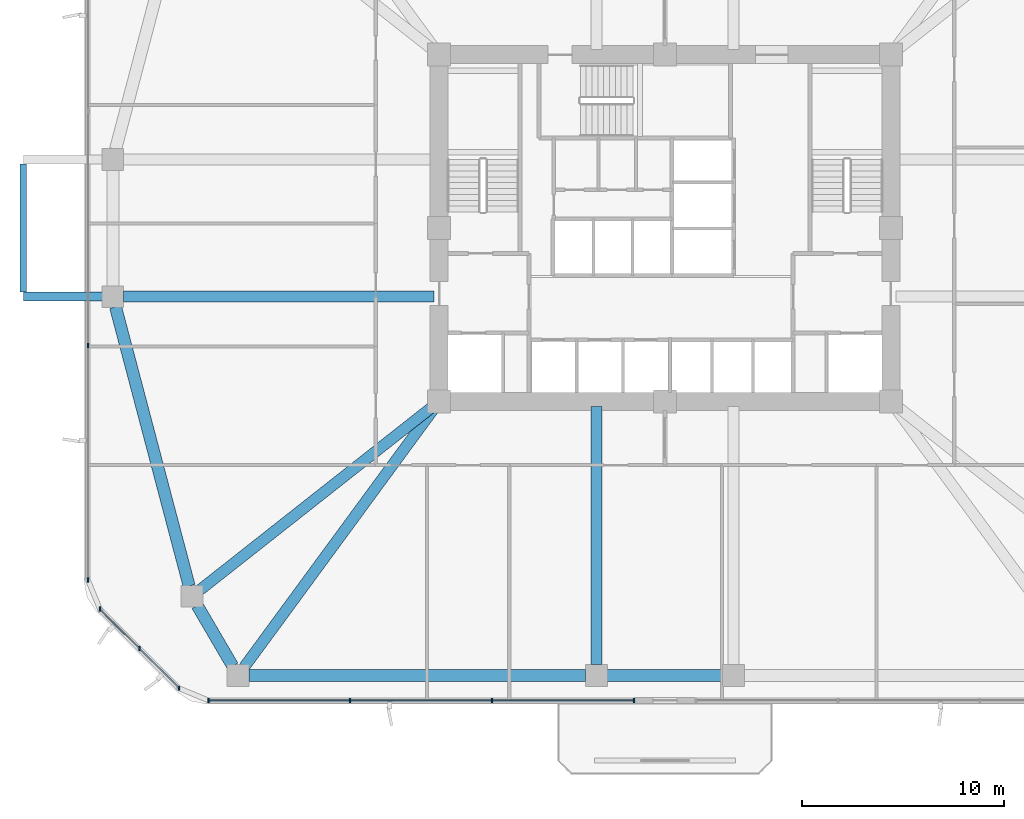
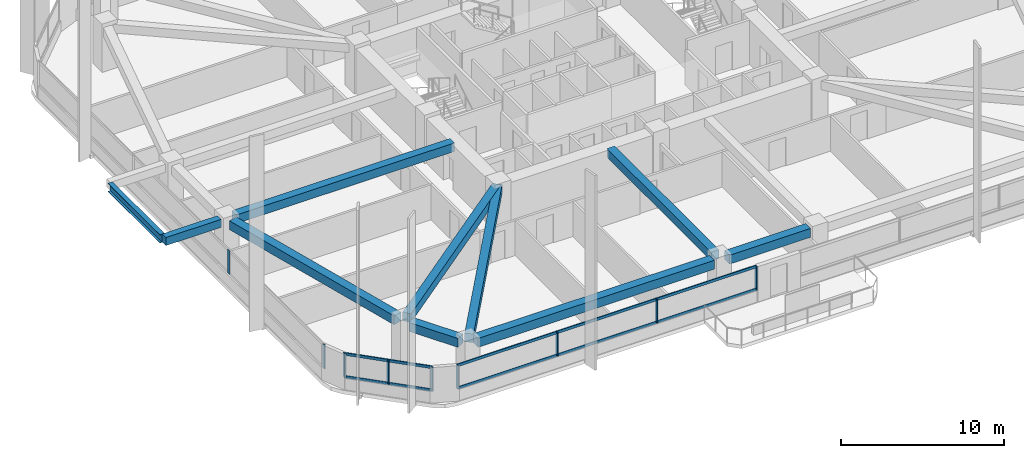
# One storey, part 2 of 17: 13 members, 10 beams, 3 elements without a shape of their own.
"""IFC4 building model written with IfcOpenShell, lengths in metres."""

from ifc_helpers import new_model, si_unit, derived_unit, direction, frame, origin, origin_2d, place, context, subcontext, project, spatial, rectangle, i_section, extrude, material, material_profile, profile_set, type_object, element, aggregate, save


model = new_model("IFC4")

# Units and contexts
model_context = context("Model", 3, precision=1e-05, world=origin(), true_north=direction((0.0, 1.0)))
body_context = subcontext(model_context, "Body", "Model", "MODEL_VIEW")
ifc_project = project(units=[si_unit("LENGTHUNIT", "METRE"), si_unit("AREAUNIT", "SQUARE_METRE"), si_unit("VOLUMEUNIT", "CUBIC_METRE"), si_unit("PLANEANGLEUNIT", "RADIAN"), si_unit("MASSUNIT", "GRAM", prefix="KILO"), derived_unit("THERMALTRANSMITTANCEUNIT", [(si_unit("POWERUNIT", "WATT"), 1), (si_unit("LENGTHUNIT", "METRE"), -2), (si_unit("THERMODYNAMICTEMPERATUREUNIT", "KELVIN"), -1)])], contexts=[model_context])

# Site, building, storey
site_placement = place(None, origin())
site = spatial("IfcSite", under=ifc_project, at=site_placement, CompositionType="ELEMENT")
building_placement = place(site_placement, origin())
building = spatial("IfcBuilding", under=site, at=building_placement, Name="Koralith Skygarden Medical Center", CompositionType="ELEMENT")
storey_placement = place(building_placement, frame((0.0, 0.0, 52.739990234375)))
storey = spatial("IfcBuildingStorey", under=building, at=storey_placement, Name="L13", CompositionType="ELEMENT", Elevation=52.739990234375)

# Curtain wall, members
ifc_material_1 = material(Name="Clear Laminated Glass", Category="glass")
curtain_wall_type = type_object("IfcCurtainWallType", Name="CW-2 Zone 1 Hurricane Unitised Curtain Wall", PredefinedType="NOTDEFINED", material=ifc_material_1)
curtain_wall_1_placement = place(storey_placement, origin())
curtain_wall_1 = element("IfcCurtainWall", 1, at=curtain_wall_1_placement, inside=storey, type_object=curtain_wall_type, Name="Curtain Wall CW-L13-S-L", PredefinedType="NOTDEFINED")
ifc_material_2 = material(Name="Aluminium 6063-T6", Category="aluminium")
ifc_material_profile_1 = material_profile(ifc_material_2, rectangle(XDim=0.071044921875, YDim=0.219970703125, at=origin_2d()), Name="MUL71X220")
ifc_profile_set_1 = profile_set([ifc_material_profile_1], Name="Aluminium 6063-T6")
member_type_1 = type_object("IfcMemberType", Name="CW-2 Extruded Mullion 71x220", PredefinedType="MULLION", material=ifc_profile_set_1)
member_1_placement = place(storey_placement, frame((14.35498046875, 2.47998046875, 0.85009765625), z_axis=(0.0, 0.0, 1.0), x_axis=(1.0, 0.0, 0.0)))
member_1 = element("IfcMember", 2, at=member_1_placement, type_object=member_type_1, Name="CW-L13-S-L Mullion 1", PredefinedType="MULLION", context=body_context, shape_type="SweptSolid", body=[
    extrude(rectangle(XDim=0.071044921875, YDim=0.219970703125, at=origin_2d()), origin(), (0.0, 0.0, 1.0), 1.7998046875),
])
member_2_placement = place(storey_placement, frame((21.389892578125, 2.47998046875, 0.85009765625), z_axis=(0.0, 0.0, 1.0), x_axis=(1.0, 0.0, 0.0)))
member_2 = element("IfcMember", 3, at=member_2_placement, type_object=member_type_1, Name="CW-L13-S-L Mullion 2", PredefinedType="MULLION", context=body_context, shape_type="SweptSolid", body=[
    extrude(rectangle(XDim=0.071044921875, YDim=0.219970703125, at=origin_2d()), origin(), (0.0, 0.0, 1.0), 1.7998046875),
])
member_3_placement = place(storey_placement, frame((28.425048828125, 2.47998046875, 0.85009765625), z_axis=(0.0, 0.0, 1.0), x_axis=(1.0, 0.0, 0.0)))
member_3 = element("IfcMember", 4, at=member_3_placement, type_object=member_type_1, Name="CW-L13-S-L Mullion 3", PredefinedType="MULLION", context=body_context, shape_type="SweptSolid", body=[
    extrude(rectangle(XDim=0.071044921875, YDim=0.219970703125, at=origin_2d()), origin(), (0.0, 0.0, 1.0), 1.7998046875),
])
member_4_placement = place(storey_placement, frame((35.4599609375, 2.47998046875, 0.85009765625), z_axis=(0.0, 0.0, 1.0), x_axis=(1.0, 0.0, 0.0)))
member_4 = element("IfcMember", 5, at=member_4_placement, type_object=member_type_1, Name="CW-L13-S-L Mullion 4", PredefinedType="MULLION", context=body_context, shape_type="SweptSolid", body=[
    extrude(rectangle(XDim=0.071044921875, YDim=0.219970703125, at=origin_2d()), origin(), (0.0, 0.0, 1.0), 1.7998046875),
])

curtain_wall_2_placement = place(storey_placement, origin())
curtain_wall_2 = element("IfcCurtainWall", 6, at=curtain_wall_2_placement, inside=storey, type_object=curtain_wall_type, Name="Curtain Wall CW-L13-W", PredefinedType="NOTDEFINED")
member_5_placement = place(storey_placement, frame((8.3798828125, 20.0849609375, 0.85009765625), z_axis=(0.0, 0.0, 1.0), x_axis=(1.0, 0.0, 0.0)))
member_5 = element("IfcMember", 7, at=member_5_placement, type_object=member_type_1, Name="CW-L13-W Mullion 3", PredefinedType="MULLION", context=body_context, shape_type="SweptSolid", body=[
    extrude(rectangle(XDim=0.071044921875, YDim=0.219970703125, at=origin_2d()), origin(), (0.0, 0.0, 1.0), 1.7998046875),
])
member_6_placement = place(storey_placement, frame((8.3798828125, 8.455078125, 0.85009765625), z_axis=(0.0, 0.0, 1.0), x_axis=(1.0, 0.0, 0.0)))
member_6 = element("IfcMember", 8, at=member_6_placement, type_object=member_type_1, Name="CW-L13-W Mullion 4", PredefinedType="MULLION", context=body_context, shape_type="SweptSolid", body=[
    extrude(rectangle(XDim=0.071044921875, YDim=0.219970703125, at=origin_2d()), origin(), (0.0, 0.0, 1.0), 1.7998046875),
])
aggregate(curtain_wall_2, [member_5, member_6])

curtain_wall_3_placement = place(storey_placement, origin())
curtain_wall_3 = element("IfcCurtainWall", 9, at=curtain_wall_3_placement, inside=storey, type_object=curtain_wall_type, Name="Curtain Wall CW-L13-SW", PredefinedType="NOTDEFINED")
member_7_placement = place(storey_placement, frame((8.98095703125, 7.00390625, 0.85009765625), z_axis=(0.0, 0.0, 1.0), x_axis=(1.0, 0.0, 0.0)))
member_7 = element("IfcMember", 10, at=member_7_placement, type_object=member_type_1, Name="CW-L13-SW Mullion 1", PredefinedType="MULLION", context=body_context, shape_type="SweptSolid", body=[
    extrude(rectangle(XDim=0.071044921875, YDim=0.219970703125, at=origin_2d()), origin(), (0.0, 0.0, 1.0), 1.7998046875),
])
member_8_placement = place(storey_placement, frame((10.94189453125, 5.04296875, 0.85009765625), z_axis=(0.0, 0.0, 1.0), x_axis=(1.0, 0.0, 0.0)))
member_8 = element("IfcMember", 11, at=member_8_placement, type_object=member_type_1, Name="CW-L13-SW Mullion 2", PredefinedType="MULLION", context=body_context, shape_type="SweptSolid", body=[
    extrude(rectangle(XDim=0.071044921875, YDim=0.219970703125, at=origin_2d()), origin(), (0.0, 0.0, 1.0), 1.7998046875),
])
member_9_placement = place(storey_placement, frame((12.904052734375, 3.0810546875, 0.85009765625), z_axis=(0.0, 0.0, 1.0), x_axis=(1.0, 0.0, 0.0)))
member_9 = element("IfcMember", 12, at=member_9_placement, type_object=member_type_1, Name="CW-L13-SW Mullion 3", PredefinedType="MULLION", context=body_context, shape_type="SweptSolid", body=[
    extrude(rectangle(XDim=0.071044921875, YDim=0.219970703125, at=origin_2d()), origin(), (0.0, 0.0, 1.0), 1.7998046875),
])

# Member
ifc_material_profile_2 = material_profile(ifc_material_2, rectangle(XDim=0.06591796875, YDim=0.197998046875, at=origin_2d()), Name="TRN66X198")
ifc_profile_set_2 = profile_set([ifc_material_profile_2], Name="Aluminium 6063-T6")
member_type_2 = type_object("IfcMemberType", Name="CW-2 Thermal Transom 66x198", PredefinedType="USERDEFINED", material=ifc_profile_set_2)
member_10_placement = place(storey_placement, frame((14.35498046875, 2.47998046875, 0.89990234375), z_axis=(1.0, 0.0, 0.0), x_axis=(0.0, 1.0, 0.0)))
member_10 = element("IfcMember", 13, at=member_10_placement, type_object=member_type_2, Name="CW-L13-S-L Transom 1", ObjectType="TRANSOM", PredefinedType="USERDEFINED", context=body_context, shape_type="SweptSolid", body=[
    extrude(rectangle(XDim=0.06591796875, YDim=0.197998046875, at=origin_2d()), origin(), (0.0, 0.0, 1.0), 21.10498046875),
])

member_11_placement = place(storey_placement, frame((14.35498046875, 2.47998046875, 2.60009765625), z_axis=(1.0, 0.0, 0.0), x_axis=(0.0, 1.0, 0.0)))
member_11 = element("IfcMember", 14, at=member_11_placement, type_object=member_type_2, Name="CW-L13-S-L Transom 2", ObjectType="TRANSOM", PredefinedType="USERDEFINED", context=body_context, shape_type="SweptSolid", body=[
    extrude(rectangle(XDim=0.06591796875, YDim=0.197998046875, at=origin_2d()), origin(), (0.0, 0.0, 1.0), 21.10498046875),
])

aggregate(curtain_wall_1, [member_1, member_2, member_3, member_4, member_10, member_11])

member_12_placement = place(storey_placement, frame((8.98095703125, 7.00390625, 0.89990234375), z_axis=(0.707128783731, -0.707084777957, 0.0), x_axis=(0.707084777957, 0.707128783731, 0.0)))
member_12 = element("IfcMember", 15, at=member_12_placement, type_object=member_type_2, Name="CW-L13-SW Transom 1", ObjectType="TRANSOM", PredefinedType="USERDEFINED", context=body_context, shape_type="SweptSolid", body=[
    extrude(rectangle(XDim=0.06591796875, YDim=0.197998046875, at=origin_2d()), origin(), (0.0, 0.0, 1.0), 5.5478515625),
])

member_13_placement = place(storey_placement, frame((8.98095703125, 7.00390625, 2.60009765625), z_axis=(0.707128783731, -0.707084777957, 0.0), x_axis=(0.707084777957, 0.707128783731, 0.0)))
member_13 = element("IfcMember", 16, at=member_13_placement, type_object=member_type_2, Name="CW-L13-SW Transom 2", ObjectType="TRANSOM", PredefinedType="USERDEFINED", context=body_context, shape_type="SweptSolid", body=[
    extrude(rectangle(XDim=0.06591796875, YDim=0.197998046875, at=origin_2d()), origin(), (0.0, 0.0, 1.0), 5.5478515625),
])

aggregate(curtain_wall_3, [member_7, member_8, member_9, member_12, member_13])

# Beams
ifc_material_3 = material(Name="Steel ASTM A992 Grade 50", Category="steel")
ifc_material_profile_3 = material_profile(ifc_material_3, i_section(OverallWidth=0.326904296875, OverallDepth=0.6220703125, WebThickness=0.015380859375, FlangeThickness=0.0244140625, at=origin_2d()), Name="W24X131")
ifc_profile_set_3 = profile_set([ifc_material_profile_3], Name="Steel ASTM A992 Grade 50")
beam_type_1 = type_object("IfcBeamType", Name="Cantilever Tie Beam W24X131", PredefinedType="BEAM", material=ifc_profile_set_3)
beam_1_placement = place(storey_placement, frame((5.179931640625, 22.719970703125, 3.029052734375), z_axis=(0.0, 1.0, 0.0), x_axis=(-1.0, 0.0, 0.0)))
element("IfcBeam", 17, at=beam_1_placement, inside=storey, type_object=beam_type_1, Name="L14 W Balcony Tip Tie Beam", PredefinedType="BEAM", context=body_context, shape_type="SweptSolid", body=[
    extrude(i_section(OverallWidth=0.326904296875, OverallDepth=0.6220703125, WebThickness=0.015380859375, FlangeThickness=0.0244140625, at=origin_2d()), origin(), (0.0, 0.0, 1.0), 6.360107421875),
])
ifc_material_4 = material(Name="Concrete C45/55", Category="concrete")
ifc_material_profile_4 = material_profile(ifc_material_4, rectangle(XDim=0.449951171875, YDim=0.60009765625, at=origin_2d()), Name="RCB450X600")
ifc_profile_set_4 = profile_set([ifc_material_profile_4], Name="Concrete C45/55")
beam_type_2 = type_object("IfcBeamType", Name="Planted Balcony Cantilever Beam RCB450X600", PredefinedType="BEAM", material=ifc_profile_set_4)
beam_2_placement = place(storey_placement, frame((9.10009765625, 22.5, 3.0400390625), z_axis=(-1.0, 0.0, 0.0), x_axis=(0.0, -1.0, 0.0)))
element("IfcBeam", 18, at=beam_2_placement, inside=storey, type_object=beam_type_2, Name="L14 W Balcony Cantilever Beam A", PredefinedType="BEAM", context=body_context, shape_type="SweptSolid", body=[
    extrude(rectangle(XDim=0.449951171875, YDim=0.60009765625, at=origin_2d()), origin(), (0.0, 0.0, 1.0), 3.920166015625),
])
ifc_material_profile_5 = material_profile(ifc_material_4, rectangle(XDim=0.550048828125, YDim=0.639892578125, at=origin_2d()), Name="RCB550X640")
ifc_profile_set_5 = profile_set([ifc_material_profile_5], Name="Concrete C45/55")
beam_type_3 = type_object("IfcBeamType", Name="Radial Collector Beam RCB550X640", PredefinedType="BEAM", material=ifc_profile_set_5)
beam_3_placement = place(storey_placement, frame((25.550048828125, 22.5, 3.0), z_axis=(-1.0, 0.0, 0.0), x_axis=(0.0, -1.0, 0.0)))
element("IfcBeam", 19, at=beam_3_placement, inside=storey, type_object=beam_type_3, Name="L13 Radial Collector Beam RB-01", PredefinedType="BEAM", context=body_context, shape_type="SweptSolid", body=[
    extrude(rectangle(XDim=0.550048828125, YDim=0.639892578125, at=origin_2d()), origin(), (0.0, 0.0, 1.0), 15.400146484375),
])
beam_4_placement = place(storey_placement, frame((25.60400390625, 17.14501953125, 3.0), z_axis=(-0.785497250365, -0.618865146594, 0.0), x_axis=(0.618865146594, -0.785497250365, 0.0)))
element("IfcBeam", 20, at=beam_4_placement, inside=storey, type_object=beam_type_3, Name="L13 Radial Collector Beam RB-02", PredefinedType="BEAM", context=body_context, shape_type="SweptSolid", body=[
    extrude(rectangle(XDim=0.550048828125, YDim=0.639892578125, at=origin_2d()), origin(), (0.0, 0.0, 1.0), 14.828857421875),
])
beam_5_placement = place(storey_placement, frame((25.652099609375, 17.097900390625, 3.0), z_axis=(-0.591718052249, -0.806144991079, 0.0), x_axis=(0.806144991079, -0.591718052249, 0.0)))
element("IfcBeam", 21, at=beam_5_placement, inside=storey, type_object=beam_type_3, Name="L13 Radial Collector Beam RB-03", PredefinedType="BEAM", context=body_context, shape_type="SweptSolid", body=[
    extrude(rectangle(XDim=0.550048828125, YDim=0.639892578125, at=origin_2d()), origin(), (0.0, 0.0, 1.0), 16.065185546875),
])
beam_6_placement = place(storey_placement, frame((33.60009765625, 17.050048828125, 3.0), z_axis=(0.0, -1.0, 0.0), x_axis=(1.0, 0.0, 0.0)))
element("IfcBeam", 22, at=beam_6_placement, inside=storey, type_object=beam_type_3, Name="L13 Radial Collector Beam RB-04", PredefinedType="BEAM", context=body_context, shape_type="SweptSolid", body=[
    extrude(rectangle(XDim=0.550048828125, YDim=0.639892578125, at=origin_2d()), origin(), (0.0, 0.0, 1.0), 12.800048828125),
])
ifc_material_profile_6 = material_profile(ifc_material_4, rectangle(XDim=0.60009765625, YDim=0.659912109375, at=origin_2d()), Name="RCB600X660")
ifc_profile_set_6 = profile_set([ifc_material_profile_6], Name="Concrete C45/55")
beam_type_4 = type_object("IfcBeamType", Name="Zone 1 Spandrel Beam RCB600X660", PredefinedType="SPANDREL", material=ifc_profile_set_6)
beam_7_placement = place(storey_placement, frame((9.7548828125, 21.988037109375, 2.989990234375), z_axis=(0.255088684842, -0.966917660851, 0.0), x_axis=(0.966917660851, 0.255088684842, 0.0)))
element("IfcBeam", 23, at=beam_7_placement, inside=storey, type_object=beam_type_4, Name="L13 Perimeter Spandrel Beam SP-01", PredefinedType="SPANDREL", context=body_context, shape_type="SweptSolid", body=[
    extrude(rectangle(XDim=0.60009765625, YDim=0.659912109375, at=origin_2d()), origin(), (0.0, 0.0, 1.0), 14.309326171875),
])
beam_8_placement = place(storey_placement, frame((13.80810546875, 7.181884765625, 2.989990234375), z_axis=(0.504638660636, -0.863330656349, 0.0), x_axis=(0.863330656349, 0.504638660636, 0.0)))
element("IfcBeam", 24, at=beam_8_placement, inside=storey, type_object=beam_type_4, Name="L13 Perimeter Spandrel Beam SP-02", PredefinedType="SPANDREL", context=body_context, shape_type="SweptSolid", body=[
    extrude(rectangle(XDim=0.60009765625, YDim=0.659912109375, at=origin_2d()), origin(), (0.0, 0.0, 1.0), 3.4794921875),
])
beam_9_placement = place(storey_placement, frame((16.362060546875, 3.719970703125, 2.989990234375), z_axis=(1.0, 0.0, 0.0), x_axis=(0.0, 1.0, 0.0)))
element("IfcBeam", 25, at=beam_9_placement, inside=storey, type_object=beam_type_4, Name="L13 Perimeter Spandrel Beam SP-03", PredefinedType="SPANDREL", context=body_context, shape_type="SweptSolid", body=[
    extrude(rectangle(XDim=0.60009765625, YDim=0.659912109375, at=origin_2d()), origin(), (0.0, 0.0, 1.0), 16.7080078125),
])
beam_10_placement = place(storey_placement, frame((34.1298828125, 3.719970703125, 2.989990234375), z_axis=(1.0, 0.0, 0.0), x_axis=(0.0, 1.0, 0.0)))
element("IfcBeam", 26, at=beam_10_placement, inside=storey, type_object=beam_type_4, Name="L13 Perimeter Spandrel Beam SP-04", PredefinedType="SPANDREL", context=body_context, shape_type="SweptSolid", body=[
    extrude(rectangle(XDim=0.60009765625, YDim=0.659912109375, at=origin_2d()), origin(), (0.0, 0.0, 1.0), 5.740234375),
])

save(model, "model.ifc")
